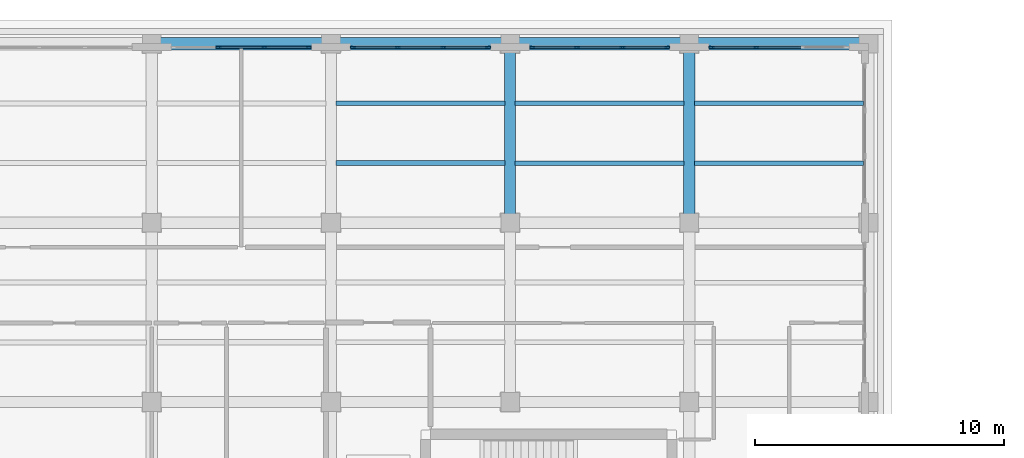
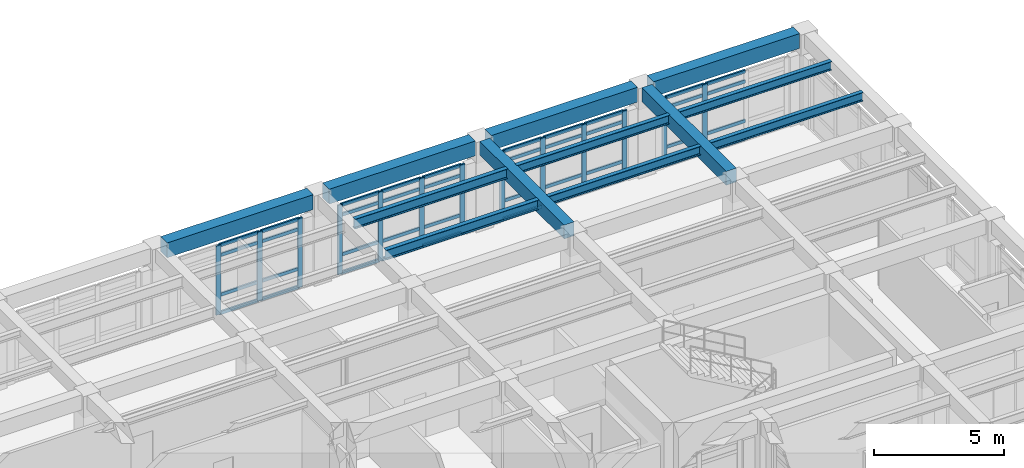
# One storey, part 31 of 67: 53 members, 12 beams, 4 elements without a shape of their own.
"""IFC4 building model written with IfcOpenShell, lengths in metres."""

from ifc_helpers import new_model, si_unit, direction, frame, origin, origin_2d, place, context, subcontext, project, spatial, rectangle, i_section, extrude, material, layer, layer_set, material_profile, profile_set, type_object, element, aggregate, save


model = new_model("IFC4")

# Units and contexts
model_context = context("Model", 3, precision=1e-05, world=origin(), true_north=direction((0.0, 1.0)))
body_context = subcontext(model_context, "Body", "Model", "MODEL_VIEW")
ifc_project = project(units=[si_unit("LENGTHUNIT", "METRE"), si_unit("AREAUNIT", "SQUARE_METRE"), si_unit("VOLUMEUNIT", "CUBIC_METRE"), si_unit("PLANEANGLEUNIT", "RADIAN"), si_unit("MASSUNIT", "GRAM", prefix="KILO")], contexts=[model_context])

# Site, building, storey
site_placement = place(None, origin())
site = spatial("IfcSite", under=ifc_project, at=site_placement, CompositionType="ELEMENT")
building_placement = place(site_placement, origin())
building = spatial("IfcBuilding", under=site, at=building_placement, Name="Solenvale Faculty of Natural Sciences", CompositionType="ELEMENT")
storey_placement = place(building_placement, frame((0.0, 0.0, 13.5)))
storey = spatial("IfcBuildingStorey", under=building, at=storey_placement, Name="L03", CompositionType="ELEMENT", Elevation=13.5)

# Beams
ifc_material_1 = material(Name="Concrete 40 MPa", Category="concrete")
ifc_material_profile_1 = material_profile(ifc_material_1, rectangle(XDim=0.449951171875, YDim=0.64990234375, at=origin_2d()), Name="RC-BM-450x650")
ifc_profile_set_1 = profile_set([ifc_material_profile_1], Name="Concrete 40 MPa")
beam_type_1 = type_object("IfcBeamType", Name="BM-RC-450x650", PredefinedType="BEAM", material=ifc_profile_set_1)
for number, where, z_axis, x_axis, name in (
    (1, (136.800048828125, 108.35498046875, 3.89501953125), (0.0, 1.0, 0.0), (-1.0, 0.0, 0.0), "L03 Y-Girder X136.8 (108.0..115.2)"),
    (2, (144.0, 108.35498046875, 3.89501953125), (0.0, 1.0, 0.0), (-1.0, 0.0, 0.0), "L03 Y-Girder X144.0 (108.0..115.2)"),
):
    element("IfcBeam", number, at=place(storey_placement, frame(where, z_axis=z_axis, x_axis=x_axis)), inside=storey, type_object=beam_type_1, Name=name, PredefinedType="BEAM", context=body_context, shape_type="SweptSolid", body=[
        extrude(rectangle(XDim=0.449951171875, YDim=0.64990234375, at=origin_2d()), origin(), (0.0, 0.0, 1.0), 6.489990234375),
    ])
ifc_material_2 = material(Name="Precast concrete 40 MPa", Category="concrete")
ifc_material_profile_2 = material_profile(ifc_material_2, rectangle(XDim=0.5, YDim=0.699951171875, at=origin_2d()), Name="RC-BM-500x700")
ifc_profile_set_2 = profile_set([ifc_material_profile_2], Name="Precast concrete 40 MPa")
beam_type_2 = type_object("IfcBeamType", Name="BM-SPN-PRC-700", PredefinedType="SPANDREL", material=ifc_profile_set_2)
beam_placement = place(storey_placement, frame((122.7548828125, 115.199951171875, 3.8701171875), z_axis=(1.0, 0.0, 0.0), x_axis=(0.0, 1.0, 0.0)))
element("IfcBeam", 3, at=beam_placement, inside=storey, type_object=beam_type_2, Name="L03 X-Girder Y115.2 (122.4..129.6)", PredefinedType="SPANDREL", context=body_context, shape_type="SweptSolid", body=[
    extrude(rectangle(XDim=0.5, YDim=0.699951171875, at=origin_2d()), origin(), (0.0, 0.0, 1.0), 6.490234375),
])
for number, where, z_axis, x_axis, name in (
    (4, (129.955078125, 115.199951171875, 3.8701171875), (1.0, 0.0, 0.0), (0.0, 1.0, 0.0), "L03 X-Girder Y115.2 (129.6..136.8)"),
    (5, (137.155029296875, 115.199951171875, 3.8701171875), (1.0, 0.0, 0.0), (0.0, 1.0, 0.0), "L03 X-Girder Y115.2 (136.8..144.0)"),
    (6, (144.35498046875, 115.199951171875, 3.8701171875), (1.0, 0.0, 0.0), (0.0, 1.0, 0.0), "L03 X-Girder Y115.2 (144.0..151.2)"),
):
    element("IfcBeam", number, at=place(storey_placement, frame(where, z_axis=z_axis, x_axis=x_axis)), inside=storey, type_object=beam_type_2, Name=name, PredefinedType="SPANDREL", context=body_context, shape_type="SweptSolid", body=[
        extrude(rectangle(XDim=0.5, YDim=0.699951171875, at=origin_2d()), origin(), (0.0, 0.0, 1.0), 6.489990234375),
    ])
ifc_material_3 = material(Name="Steel S355", Category="steel")
ifc_material_profile_3 = material_profile(ifc_material_3, i_section(OverallWidth=0.178955078125, OverallDepth=0.409912109375, WebThickness=0.0087890625, FlangeThickness=0.014404296875, FilletRadius=0.01611328125, at=origin_2d()), Name="W410x67")
ifc_profile_set_3 = profile_set([ifc_material_profile_3], Name="Steel S355")
beam_type_3 = type_object("IfcBeamType", Name="BM-STL-W410x67", PredefinedType="JOIST", material=ifc_profile_set_3)
for number, where, z_axis, x_axis, name in (
    (7, (144.205078125, 110.39990234375, 4.014892578125), (1.0, 0.0, 0.0), (0.0, 1.0, 0.0), "L03 Composite Floor Joist (21,16).1"),
    (8, (144.205078125, 112.800048828125, 4.014892578125), (1.0, 0.0, 0.0), (0.0, 1.0, 0.0), "L03 Composite Floor Joist (21,16).2"),
):
    element("IfcBeam", number, at=place(storey_placement, frame(where, z_axis=z_axis, x_axis=x_axis)), inside=storey, type_object=beam_type_3, Name=name, PredefinedType="JOIST", context=body_context, shape_type="SweptSolid", body=[
        extrude(i_section(OverallWidth=0.178955078125, OverallDepth=0.409912109375, WebThickness=0.0087890625, FlangeThickness=0.014404296875, FilletRadius=0.01611328125, at=origin_2d()), origin(), (0.0, 0.0, 1.0), 6.7900390625),
    ])
ifc_material_profile_4 = material_profile(ifc_material_3, i_section(OverallWidth=0.180908203125, OverallDepth=0.4169921875, WebThickness=0.010986328125, FlangeThickness=0.018310546875, FilletRadius=0.01611328125, at=origin_2d()), Name="W410x85")
ifc_profile_set_4 = profile_set([ifc_material_profile_4], Name="Steel S355")
beam_type_4 = type_object("IfcBeamType", Name="BM-STL-W410x85", PredefinedType="JOIST", material=ifc_profile_set_4)
for number, where, z_axis, x_axis, name in (
    (9, (137.0048828125, 110.39990234375, 4.011474609375), (1.0, 0.0, 0.0), (0.0, 1.0, 0.0), "L03 Composite Floor Joist (20,16).1"),
    (10, (137.0048828125, 112.800048828125, 4.011474609375), (1.0, 0.0, 0.0), (0.0, 1.0, 0.0), "L03 Composite Floor Joist (20,16).2"),
):
    element("IfcBeam", number, at=place(storey_placement, frame(where, z_axis=z_axis, x_axis=x_axis)), inside=storey, type_object=beam_type_4, Name=name, PredefinedType="JOIST", context=body_context, shape_type="SweptSolid", body=[
        extrude(i_section(OverallWidth=0.180908203125, OverallDepth=0.4169921875, WebThickness=0.010986328125, FlangeThickness=0.018310546875, FilletRadius=0.01611328125, at=origin_2d()), origin(), (0.0, 0.0, 1.0), 6.7900390625),
    ])
ifc_material_profile_5 = material_profile(ifc_material_3, i_section(OverallWidth=0.19091796875, OverallDepth=0.4599609375, WebThickness=0.010009765625, FlangeThickness=0.01611328125, FilletRadius=0.01806640625, at=origin_2d()), Name="W460x82")
ifc_profile_set_5 = profile_set([ifc_material_profile_5], Name="Steel S355")
beam_type_5 = type_object("IfcBeamType", Name="BM-STL-W460x82", PredefinedType="JOIST", material=ifc_profile_set_5)
for number, where, z_axis, x_axis, name in (
    (11, (129.804931640625, 110.39990234375, 3.989990234375), (1.0, 0.0, 0.0), (0.0, 1.0, 0.0), "L03 Composite Floor Joist (19,16).1"),
    (12, (129.804931640625, 112.800048828125, 3.989990234375), (1.0, 0.0, 0.0), (0.0, 1.0, 0.0), "L03 Composite Floor Joist (19,16).2"),
):
    element("IfcBeam", number, at=place(storey_placement, frame(where, z_axis=z_axis, x_axis=x_axis)), inside=storey, type_object=beam_type_5, Name=name, PredefinedType="JOIST", context=body_context, shape_type="SweptSolid", body=[
        extrude(i_section(OverallWidth=0.19091796875, OverallDepth=0.4599609375, WebThickness=0.010009765625, FlangeThickness=0.01611328125, FilletRadius=0.01806640625, at=origin_2d()), origin(), (0.0, 0.0, 1.0), 6.7900390625),
    ])

# Curtain wall, members
ifc_material_4 = material(Name="Anodised bronze aluminium", Category="aluminium")
ifc_layer = layer(ifc_material_4, 0.179931640625)
ifc_layer_set = layer_set([ifc_layer], Name="Anodised bronze aluminium")
curtain_wall_type = type_object("IfcCurtainWallType", Name="CW-TWR-MOD", PredefinedType="USERDEFINED", material=ifc_layer_set)
curtain_wall_1_placement = place(storey_placement, origin())
curtain_wall_1 = element("IfcCurtainWall", 13, at=curtain_wall_1_placement, inside=storey, type_object=curtain_wall_type, Name="L03 Curtain Wall CW-L03-P3-E4-B1", ObjectType="UNITISED CURTAIN WALL", PredefinedType="USERDEFINED")
ifc_material_profile_6 = material_profile(ifc_material_4, rectangle(XDim=0.074951171875, YDim=0.2099609375, at=origin_2d()), Name="ALU-MUL-75x210")
ifc_profile_set_6 = profile_set([ifc_material_profile_6], Name="Anodised bronze aluminium")
member_type_1 = type_object("IfcMemberType", Name="CWM-ALU-75x210", PredefinedType="MULLION", material=ifc_profile_set_6)
member_1_placement = place(storey_placement, frame((146.683349609375, 115.0576171875, 0.0), z_axis=(0.0, 0.0, 1.0), x_axis=(0.0, -1.0, 0.0)))
member_1 = element("IfcMember", 14, at=member_1_placement, type_object=member_type_1, Name="CW-04 mullion 3", PredefinedType="MULLION", context=body_context, shape_type="SweptSolid", body=[
    extrude(rectangle(XDim=0.074951171875, YDim=0.2099609375, at=origin_2d()), origin(), (0.0, 0.0, 1.0), 3.260009765625),
])
member_2_placement = place(storey_placement, frame((144.887451171875, 115.0576171875, 0.0), z_axis=(0.0, 0.0, 1.0), x_axis=(0.0, -1.0, 0.0)))
member_2 = element("IfcMember", 15, at=member_2_placement, type_object=member_type_1, Name="CW-04 mullion 4", PredefinedType="MULLION", context=body_context, shape_type="SweptSolid", body=[
    extrude(rectangle(XDim=0.074951171875, YDim=0.2099609375, at=origin_2d()), origin(), (0.0, 0.0, 1.0), 3.260009765625),
])

curtain_wall_2_placement = place(storey_placement, origin())
curtain_wall_2 = element("IfcCurtainWall", 16, at=curtain_wall_2_placement, inside=storey, type_object=curtain_wall_type, Name="L03 Curtain Wall CW-L03-P3-E4-B2", ObjectType="UNITISED CURTAIN WALL", PredefinedType="USERDEFINED")
member_3_placement = place(storey_placement, frame((143.112548828125, 115.0576171875, 0.0), z_axis=(0.0, 0.0, 1.0), x_axis=(0.0, -1.0, 0.0)))
member_3 = element("IfcMember", 17, at=member_3_placement, type_object=member_type_1, Name="CW-04 mullion 1", PredefinedType="MULLION", context=body_context, shape_type="SweptSolid", body=[
    extrude(rectangle(XDim=0.074951171875, YDim=0.2099609375, at=origin_2d()), origin(), (0.0, 0.0, 1.0), 3.260009765625),
])
member_4_placement = place(storey_placement, frame((141.316650390625, 115.0576171875, 0.0), z_axis=(0.0, 0.0, 1.0), x_axis=(0.0, -1.0, 0.0)))
member_4 = element("IfcMember", 18, at=member_4_placement, type_object=member_type_1, Name="CW-04 mullion 2", PredefinedType="MULLION", context=body_context, shape_type="SweptSolid", body=[
    extrude(rectangle(XDim=0.074951171875, YDim=0.2099609375, at=origin_2d()), origin(), (0.0, 0.0, 1.0), 3.260009765625),
])
member_5_placement = place(storey_placement, frame((139.4833984375, 115.0576171875, 0.0), z_axis=(0.0, 0.0, 1.0), x_axis=(0.0, -1.0, 0.0)))
member_5 = element("IfcMember", 19, at=member_5_placement, type_object=member_type_1, Name="CW-04 mullion 3", PredefinedType="MULLION", context=body_context, shape_type="SweptSolid", body=[
    extrude(rectangle(XDim=0.074951171875, YDim=0.2099609375, at=origin_2d()), origin(), (0.0, 0.0, 1.0), 3.260009765625),
])
member_6_placement = place(storey_placement, frame((137.6875, 115.0576171875, 0.0), z_axis=(0.0, 0.0, 1.0), x_axis=(0.0, -1.0, 0.0)))
member_6 = element("IfcMember", 20, at=member_6_placement, type_object=member_type_1, Name="CW-04 mullion 4", PredefinedType="MULLION", context=body_context, shape_type="SweptSolid", body=[
    extrude(rectangle(XDim=0.074951171875, YDim=0.2099609375, at=origin_2d()), origin(), (0.0, 0.0, 1.0), 3.260009765625),
])

curtain_wall_3_placement = place(storey_placement, origin())
curtain_wall_3 = element("IfcCurtainWall", 21, at=curtain_wall_3_placement, inside=storey, type_object=curtain_wall_type, Name="L03 Curtain Wall CW-L03-P3-E4-B3", ObjectType="UNITISED CURTAIN WALL", PredefinedType="USERDEFINED")
member_7_placement = place(storey_placement, frame((135.91259765625, 115.0576171875, 0.0), z_axis=(0.0, 0.0, 1.0), x_axis=(0.0, -1.0, 0.0)))
member_7 = element("IfcMember", 22, at=member_7_placement, type_object=member_type_1, Name="CW-04 mullion 1", PredefinedType="MULLION", context=body_context, shape_type="SweptSolid", body=[
    extrude(rectangle(XDim=0.074951171875, YDim=0.2099609375, at=origin_2d()), origin(), (0.0, 0.0, 1.0), 3.260009765625),
])
member_8_placement = place(storey_placement, frame((134.11669921875, 115.0576171875, 0.0), z_axis=(0.0, 0.0, 1.0), x_axis=(0.0, -1.0, 0.0)))
member_8 = element("IfcMember", 23, at=member_8_placement, type_object=member_type_1, Name="CW-04 mullion 2", PredefinedType="MULLION", context=body_context, shape_type="SweptSolid", body=[
    extrude(rectangle(XDim=0.074951171875, YDim=0.2099609375, at=origin_2d()), origin(), (0.0, 0.0, 1.0), 3.260009765625),
])
member_9_placement = place(storey_placement, frame((132.283447265625, 115.0576171875, 0.0), z_axis=(0.0, 0.0, 1.0), x_axis=(0.0, -1.0, 0.0)))
member_9 = element("IfcMember", 24, at=member_9_placement, type_object=member_type_1, Name="CW-04 mullion 3", PredefinedType="MULLION", context=body_context, shape_type="SweptSolid", body=[
    extrude(rectangle(XDim=0.074951171875, YDim=0.2099609375, at=origin_2d()), origin(), (0.0, 0.0, 1.0), 3.260009765625),
])
member_10_placement = place(storey_placement, frame((130.487548828125, 115.0576171875, 0.0), z_axis=(0.0, 0.0, 1.0), x_axis=(0.0, -1.0, 0.0)))
member_10 = element("IfcMember", 25, at=member_10_placement, type_object=member_type_1, Name="CW-04 mullion 4", PredefinedType="MULLION", context=body_context, shape_type="SweptSolid", body=[
    extrude(rectangle(XDim=0.074951171875, YDim=0.2099609375, at=origin_2d()), origin(), (0.0, 0.0, 1.0), 3.260009765625),
])

curtain_wall_4_placement = place(storey_placement, origin())
curtain_wall_4 = element("IfcCurtainWall", 26, at=curtain_wall_4_placement, inside=storey, type_object=curtain_wall_type, Name="L03 Curtain Wall CW-L03-P3-E4-B4", ObjectType="UNITISED CURTAIN WALL", PredefinedType="USERDEFINED")
member_11_placement = place(storey_placement, frame((128.71240234375, 115.0576171875, 0.0), z_axis=(0.0, 0.0, 1.0), x_axis=(0.0, -1.0, 0.0)))
member_11 = element("IfcMember", 27, at=member_11_placement, type_object=member_type_1, Name="CW-04 mullion 1", PredefinedType="MULLION", context=body_context, shape_type="SweptSolid", body=[
    extrude(rectangle(XDim=0.074951171875, YDim=0.2099609375, at=origin_2d()), origin(), (0.0, 0.0, 1.0), 3.260009765625),
])
member_12_placement = place(storey_placement, frame((126.916748046875, 115.0576171875, 0.0), z_axis=(0.0, 0.0, 1.0), x_axis=(0.0, -1.0, 0.0)))
member_12 = element("IfcMember", 28, at=member_12_placement, type_object=member_type_1, Name="CW-04 mullion 2", PredefinedType="MULLION", context=body_context, shape_type="SweptSolid", body=[
    extrude(rectangle(XDim=0.074951171875, YDim=0.2099609375, at=origin_2d()), origin(), (0.0, 0.0, 1.0), 3.260009765625),
])
member_13_placement = place(storey_placement, frame((125.083251953125, 115.0576171875, 0.0), z_axis=(0.0, 0.0, 1.0), x_axis=(0.0, -1.0, 0.0)))
member_13 = element("IfcMember", 29, at=member_13_placement, type_object=member_type_1, Name="CW-04 mullion 3", PredefinedType="MULLION", context=body_context, shape_type="SweptSolid", body=[
    extrude(rectangle(XDim=0.074951171875, YDim=0.2099609375, at=origin_2d()), origin(), (0.0, 0.0, 1.0), 3.260009765625),
])

# Member
ifc_material_profile_7 = material_profile(ifc_material_4, rectangle(XDim=0.074951171875, YDim=0.155029296875, at=origin_2d()), Name="ALU-TRN-75x155")
ifc_profile_set_7 = profile_set([ifc_material_profile_7], Name="Anodised bronze aluminium")
member_type_2 = type_object("IfcMemberType", Name="CWT-ALU-75x155", PredefinedType="USERDEFINED", material=ifc_profile_set_7)
member_14_placement = place(storey_placement, frame((148.479248046875, 115.0576171875, 0.03759765625), z_axis=(-1.0, 0.0, 0.0), x_axis=(0.0, -1.0, 0.0)))
member_14 = element("IfcMember", 30, at=member_14_placement, type_object=member_type_2, Name="CW-04 transom 2.1", ObjectType="TRANSOM", PredefinedType="USERDEFINED", context=body_context, shape_type="SweptSolid", body=[
    extrude(rectangle(XDim=0.074951171875, YDim=0.155029296875, at=origin_2d()), origin(), (0.0, 0.0, 1.0), 1.75830078125),
])

member_15_placement = place(storey_placement, frame((148.479248046875, 115.0576171875, 0.89990234375), z_axis=(-1.0, 0.0, 0.0), x_axis=(0.0, -1.0, 0.0)))
member_15 = element("IfcMember", 31, at=member_15_placement, type_object=member_type_2, Name="CW-04 transom 2.2", ObjectType="TRANSOM", PredefinedType="USERDEFINED", context=body_context, shape_type="SweptSolid", body=[
    extrude(rectangle(XDim=0.074951171875, YDim=0.155029296875, at=origin_2d()), origin(), (0.0, 0.0, 1.0), 1.75830078125),
])

member_16_placement = place(storey_placement, frame((148.479248046875, 115.0576171875, 2.760009765625), z_axis=(-1.0, 0.0, 0.0), x_axis=(0.0, -1.0, 0.0)))
member_16 = element("IfcMember", 32, at=member_16_placement, type_object=member_type_2, Name="CW-04 transom 2.3", ObjectType="TRANSOM", PredefinedType="USERDEFINED", context=body_context, shape_type="SweptSolid", body=[
    extrude(rectangle(XDim=0.074951171875, YDim=0.155029296875, at=origin_2d()), origin(), (0.0, 0.0, 1.0), 1.75830078125),
])

member_17_placement = place(storey_placement, frame((148.479248046875, 115.0576171875, 3.222412109375), z_axis=(-1.0, 0.0, 0.0), x_axis=(0.0, -1.0, 0.0)))
member_17 = element("IfcMember", 33, at=member_17_placement, type_object=member_type_2, Name="CW-04 transom 2.4", ObjectType="TRANSOM", PredefinedType="USERDEFINED", context=body_context, shape_type="SweptSolid", body=[
    extrude(rectangle(XDim=0.074951171875, YDim=0.155029296875, at=origin_2d()), origin(), (0.0, 0.0, 1.0), 1.75830078125),
])

member_18_placement = place(storey_placement, frame((146.645751953125, 115.0576171875, 0.03759765625), z_axis=(-1.0, 0.0, 0.0), x_axis=(0.0, -1.0, 0.0)))
member_18 = element("IfcMember", 34, at=member_18_placement, type_object=member_type_2, Name="CW-04 transom 3.1", ObjectType="TRANSOM", PredefinedType="USERDEFINED", context=body_context, shape_type="SweptSolid", body=[
    extrude(rectangle(XDim=0.074951171875, YDim=0.155029296875, at=origin_2d()), origin(), (0.0, 0.0, 1.0), 1.720703125),
])

member_19_placement = place(storey_placement, frame((146.645751953125, 115.0576171875, 0.89990234375), z_axis=(-1.0, 0.0, 0.0), x_axis=(0.0, -1.0, 0.0)))
member_19 = element("IfcMember", 35, at=member_19_placement, type_object=member_type_2, Name="CW-04 transom 3.2", ObjectType="TRANSOM", PredefinedType="USERDEFINED", context=body_context, shape_type="SweptSolid", body=[
    extrude(rectangle(XDim=0.074951171875, YDim=0.155029296875, at=origin_2d()), origin(), (0.0, 0.0, 1.0), 1.720703125),
])

member_20_placement = place(storey_placement, frame((146.645751953125, 115.0576171875, 2.760009765625), z_axis=(-1.0, 0.0, 0.0), x_axis=(0.0, -1.0, 0.0)))
member_20 = element("IfcMember", 36, at=member_20_placement, type_object=member_type_2, Name="CW-04 transom 3.3", ObjectType="TRANSOM", PredefinedType="USERDEFINED", context=body_context, shape_type="SweptSolid", body=[
    extrude(rectangle(XDim=0.074951171875, YDim=0.155029296875, at=origin_2d()), origin(), (0.0, 0.0, 1.0), 1.720703125),
])

member_21_placement = place(storey_placement, frame((146.645751953125, 115.0576171875, 3.222412109375), z_axis=(-1.0, 0.0, 0.0), x_axis=(0.0, -1.0, 0.0)))
member_21 = element("IfcMember", 37, at=member_21_placement, type_object=member_type_2, Name="CW-04 transom 3.4", ObjectType="TRANSOM", PredefinedType="USERDEFINED", context=body_context, shape_type="SweptSolid", body=[
    extrude(rectangle(XDim=0.074951171875, YDim=0.155029296875, at=origin_2d()), origin(), (0.0, 0.0, 1.0), 1.720703125),
])

aggregate(curtain_wall_1, [member_1, member_2, member_14, member_15, member_16, member_17, member_18, member_19, member_20, member_21])

member_22_placement = place(storey_placement, frame((143.074951171875, 115.0576171875, 0.03759765625), z_axis=(-1.0, 0.0, 0.0), x_axis=(0.0, -1.0, 0.0)))
member_22 = element("IfcMember", 38, at=member_22_placement, type_object=member_type_2, Name="CW-04 transom 1.1", ObjectType="TRANSOM", PredefinedType="USERDEFINED", context=body_context, shape_type="SweptSolid", body=[
    extrude(rectangle(XDim=0.074951171875, YDim=0.155029296875, at=origin_2d()), origin(), (0.0, 0.0, 1.0), 1.720703125),
])

member_23_placement = place(storey_placement, frame((143.074951171875, 115.0576171875, 0.89990234375), z_axis=(-1.0, 0.0, 0.0), x_axis=(0.0, -1.0, 0.0)))
member_23 = element("IfcMember", 39, at=member_23_placement, type_object=member_type_2, Name="CW-04 transom 1.2", ObjectType="TRANSOM", PredefinedType="USERDEFINED", context=body_context, shape_type="SweptSolid", body=[
    extrude(rectangle(XDim=0.074951171875, YDim=0.155029296875, at=origin_2d()), origin(), (0.0, 0.0, 1.0), 1.720703125),
])

member_24_placement = place(storey_placement, frame((143.074951171875, 115.0576171875, 2.760009765625), z_axis=(-1.0, 0.0, 0.0), x_axis=(0.0, -1.0, 0.0)))
member_24 = element("IfcMember", 40, at=member_24_placement, type_object=member_type_2, Name="CW-04 transom 1.3", ObjectType="TRANSOM", PredefinedType="USERDEFINED", context=body_context, shape_type="SweptSolid", body=[
    extrude(rectangle(XDim=0.074951171875, YDim=0.155029296875, at=origin_2d()), origin(), (0.0, 0.0, 1.0), 1.720703125),
])

member_25_placement = place(storey_placement, frame((143.074951171875, 115.0576171875, 3.222412109375), z_axis=(-1.0, 0.0, 0.0), x_axis=(0.0, -1.0, 0.0)))
member_25 = element("IfcMember", 41, at=member_25_placement, type_object=member_type_2, Name="CW-04 transom 1.4", ObjectType="TRANSOM", PredefinedType="USERDEFINED", context=body_context, shape_type="SweptSolid", body=[
    extrude(rectangle(XDim=0.074951171875, YDim=0.155029296875, at=origin_2d()), origin(), (0.0, 0.0, 1.0), 1.720703125),
])

member_26_placement = place(storey_placement, frame((141.279052734375, 115.0576171875, 0.03759765625), z_axis=(-1.0, 0.0, 0.0), x_axis=(0.0, -1.0, 0.0)))
member_26 = element("IfcMember", 42, at=member_26_placement, type_object=member_type_2, Name="CW-04 transom 2.1", ObjectType="TRANSOM", PredefinedType="USERDEFINED", context=body_context, shape_type="SweptSolid", body=[
    extrude(rectangle(XDim=0.074951171875, YDim=0.155029296875, at=origin_2d()), origin(), (0.0, 0.0, 1.0), 1.75830078125),
])

member_27_placement = place(storey_placement, frame((141.279052734375, 115.0576171875, 0.89990234375), z_axis=(-1.0, 0.0, 0.0), x_axis=(0.0, -1.0, 0.0)))
member_27 = element("IfcMember", 43, at=member_27_placement, type_object=member_type_2, Name="CW-04 transom 2.2", ObjectType="TRANSOM", PredefinedType="USERDEFINED", context=body_context, shape_type="SweptSolid", body=[
    extrude(rectangle(XDim=0.074951171875, YDim=0.155029296875, at=origin_2d()), origin(), (0.0, 0.0, 1.0), 1.75830078125),
])

member_28_placement = place(storey_placement, frame((141.279052734375, 115.0576171875, 2.760009765625), z_axis=(-1.0, 0.0, 0.0), x_axis=(0.0, -1.0, 0.0)))
member_28 = element("IfcMember", 44, at=member_28_placement, type_object=member_type_2, Name="CW-04 transom 2.3", ObjectType="TRANSOM", PredefinedType="USERDEFINED", context=body_context, shape_type="SweptSolid", body=[
    extrude(rectangle(XDim=0.074951171875, YDim=0.155029296875, at=origin_2d()), origin(), (0.0, 0.0, 1.0), 1.75830078125),
])

member_29_placement = place(storey_placement, frame((141.279052734375, 115.0576171875, 3.222412109375), z_axis=(-1.0, 0.0, 0.0), x_axis=(0.0, -1.0, 0.0)))
member_29 = element("IfcMember", 45, at=member_29_placement, type_object=member_type_2, Name="CW-04 transom 2.4", ObjectType="TRANSOM", PredefinedType="USERDEFINED", context=body_context, shape_type="SweptSolid", body=[
    extrude(rectangle(XDim=0.074951171875, YDim=0.155029296875, at=origin_2d()), origin(), (0.0, 0.0, 1.0), 1.75830078125),
])

member_30_placement = place(storey_placement, frame((139.44580078125, 115.0576171875, 0.03759765625), z_axis=(-1.0, 0.0, 0.0), x_axis=(0.0, -1.0, 0.0)))
member_30 = element("IfcMember", 46, at=member_30_placement, type_object=member_type_2, Name="CW-04 transom 3.1", ObjectType="TRANSOM", PredefinedType="USERDEFINED", context=body_context, shape_type="SweptSolid", body=[
    extrude(rectangle(XDim=0.074951171875, YDim=0.155029296875, at=origin_2d()), origin(), (0.0, 0.0, 1.0), 1.720703125),
])

member_31_placement = place(storey_placement, frame((139.44580078125, 115.0576171875, 0.89990234375), z_axis=(-1.0, 0.0, 0.0), x_axis=(0.0, -1.0, 0.0)))
member_31 = element("IfcMember", 47, at=member_31_placement, type_object=member_type_2, Name="CW-04 transom 3.2", ObjectType="TRANSOM", PredefinedType="USERDEFINED", context=body_context, shape_type="SweptSolid", body=[
    extrude(rectangle(XDim=0.074951171875, YDim=0.155029296875, at=origin_2d()), origin(), (0.0, 0.0, 1.0), 1.720703125),
])

member_32_placement = place(storey_placement, frame((139.44580078125, 115.0576171875, 2.760009765625), z_axis=(-1.0, 0.0, 0.0), x_axis=(0.0, -1.0, 0.0)))
member_32 = element("IfcMember", 48, at=member_32_placement, type_object=member_type_2, Name="CW-04 transom 3.3", ObjectType="TRANSOM", PredefinedType="USERDEFINED", context=body_context, shape_type="SweptSolid", body=[
    extrude(rectangle(XDim=0.074951171875, YDim=0.155029296875, at=origin_2d()), origin(), (0.0, 0.0, 1.0), 1.720703125),
])

member_33_placement = place(storey_placement, frame((139.44580078125, 115.0576171875, 3.222412109375), z_axis=(-1.0, 0.0, 0.0), x_axis=(0.0, -1.0, 0.0)))
member_33 = element("IfcMember", 49, at=member_33_placement, type_object=member_type_2, Name="CW-04 transom 3.4", ObjectType="TRANSOM", PredefinedType="USERDEFINED", context=body_context, shape_type="SweptSolid", body=[
    extrude(rectangle(XDim=0.074951171875, YDim=0.155029296875, at=origin_2d()), origin(), (0.0, 0.0, 1.0), 1.720703125),
])

aggregate(curtain_wall_2, [member_3, member_4, member_5, member_6, member_22, member_23, member_24, member_25, member_26, member_27, member_28, member_29, member_30, member_31, member_32, member_33])

member_34_placement = place(storey_placement, frame((135.875, 115.0576171875, 0.03759765625), z_axis=(-1.0, 0.0, 0.0), x_axis=(0.0, -1.0, 0.0)))
member_34 = element("IfcMember", 50, at=member_34_placement, type_object=member_type_2, Name="CW-04 transom 1.1", ObjectType="TRANSOM", PredefinedType="USERDEFINED", context=body_context, shape_type="SweptSolid", body=[
    extrude(rectangle(XDim=0.074951171875, YDim=0.155029296875, at=origin_2d()), origin(), (0.0, 0.0, 1.0), 1.720947265625),
])

member_35_placement = place(storey_placement, frame((135.875, 115.0576171875, 0.89990234375), z_axis=(-1.0, 0.0, 0.0), x_axis=(0.0, -1.0, 0.0)))
member_35 = element("IfcMember", 51, at=member_35_placement, type_object=member_type_2, Name="CW-04 transom 1.2", ObjectType="TRANSOM", PredefinedType="USERDEFINED", context=body_context, shape_type="SweptSolid", body=[
    extrude(rectangle(XDim=0.074951171875, YDim=0.155029296875, at=origin_2d()), origin(), (0.0, 0.0, 1.0), 1.720947265625),
])

member_36_placement = place(storey_placement, frame((135.875, 115.0576171875, 2.760009765625), z_axis=(-1.0, 0.0, 0.0), x_axis=(0.0, -1.0, 0.0)))
member_36 = element("IfcMember", 52, at=member_36_placement, type_object=member_type_2, Name="CW-04 transom 1.3", ObjectType="TRANSOM", PredefinedType="USERDEFINED", context=body_context, shape_type="SweptSolid", body=[
    extrude(rectangle(XDim=0.074951171875, YDim=0.155029296875, at=origin_2d()), origin(), (0.0, 0.0, 1.0), 1.720947265625),
])

member_37_placement = place(storey_placement, frame((135.875, 115.0576171875, 3.222412109375), z_axis=(-1.0, 0.0, 0.0), x_axis=(0.0, -1.0, 0.0)))
member_37 = element("IfcMember", 53, at=member_37_placement, type_object=member_type_2, Name="CW-04 transom 1.4", ObjectType="TRANSOM", PredefinedType="USERDEFINED", context=body_context, shape_type="SweptSolid", body=[
    extrude(rectangle(XDim=0.074951171875, YDim=0.155029296875, at=origin_2d()), origin(), (0.0, 0.0, 1.0), 1.720947265625),
])

member_38_placement = place(storey_placement, frame((134.0791015625, 115.0576171875, 0.03759765625), z_axis=(-1.0, 0.0, 0.0), x_axis=(0.0, -1.0, 0.0)))
member_38 = element("IfcMember", 54, at=member_38_placement, type_object=member_type_2, Name="CW-04 transom 2.1", ObjectType="TRANSOM", PredefinedType="USERDEFINED", context=body_context, shape_type="SweptSolid", body=[
    extrude(rectangle(XDim=0.074951171875, YDim=0.155029296875, at=origin_2d()), origin(), (0.0, 0.0, 1.0), 1.75830078125),
])

member_39_placement = place(storey_placement, frame((134.0791015625, 115.0576171875, 0.89990234375), z_axis=(-1.0, 0.0, 0.0), x_axis=(0.0, -1.0, 0.0)))
member_39 = element("IfcMember", 55, at=member_39_placement, type_object=member_type_2, Name="CW-04 transom 2.2", ObjectType="TRANSOM", PredefinedType="USERDEFINED", context=body_context, shape_type="SweptSolid", body=[
    extrude(rectangle(XDim=0.074951171875, YDim=0.155029296875, at=origin_2d()), origin(), (0.0, 0.0, 1.0), 1.75830078125),
])

member_40_placement = place(storey_placement, frame((134.0791015625, 115.0576171875, 2.760009765625), z_axis=(-1.0, 0.0, 0.0), x_axis=(0.0, -1.0, 0.0)))
member_40 = element("IfcMember", 56, at=member_40_placement, type_object=member_type_2, Name="CW-04 transom 2.3", ObjectType="TRANSOM", PredefinedType="USERDEFINED", context=body_context, shape_type="SweptSolid", body=[
    extrude(rectangle(XDim=0.074951171875, YDim=0.155029296875, at=origin_2d()), origin(), (0.0, 0.0, 1.0), 1.75830078125),
])

member_41_placement = place(storey_placement, frame((134.0791015625, 115.0576171875, 3.222412109375), z_axis=(-1.0, 0.0, 0.0), x_axis=(0.0, -1.0, 0.0)))
member_41 = element("IfcMember", 57, at=member_41_placement, type_object=member_type_2, Name="CW-04 transom 2.4", ObjectType="TRANSOM", PredefinedType="USERDEFINED", context=body_context, shape_type="SweptSolid", body=[
    extrude(rectangle(XDim=0.074951171875, YDim=0.155029296875, at=origin_2d()), origin(), (0.0, 0.0, 1.0), 1.75830078125),
])

member_42_placement = place(storey_placement, frame((132.245849609375, 115.0576171875, 0.03759765625), z_axis=(-1.0, 0.0, 0.0), x_axis=(0.0, -1.0, 0.0)))
member_42 = element("IfcMember", 58, at=member_42_placement, type_object=member_type_2, Name="CW-04 transom 3.1", ObjectType="TRANSOM", PredefinedType="USERDEFINED", context=body_context, shape_type="SweptSolid", body=[
    extrude(rectangle(XDim=0.074951171875, YDim=0.155029296875, at=origin_2d()), origin(), (0.0, 0.0, 1.0), 1.720947265625),
])

member_43_placement = place(storey_placement, frame((132.245849609375, 115.0576171875, 0.89990234375), z_axis=(-1.0, 0.0, 0.0), x_axis=(0.0, -1.0, 0.0)))
member_43 = element("IfcMember", 59, at=member_43_placement, type_object=member_type_2, Name="CW-04 transom 3.2", ObjectType="TRANSOM", PredefinedType="USERDEFINED", context=body_context, shape_type="SweptSolid", body=[
    extrude(rectangle(XDim=0.074951171875, YDim=0.155029296875, at=origin_2d()), origin(), (0.0, 0.0, 1.0), 1.720947265625),
])

member_44_placement = place(storey_placement, frame((132.245849609375, 115.0576171875, 2.760009765625), z_axis=(-1.0, 0.0, 0.0), x_axis=(0.0, -1.0, 0.0)))
member_44 = element("IfcMember", 60, at=member_44_placement, type_object=member_type_2, Name="CW-04 transom 3.3", ObjectType="TRANSOM", PredefinedType="USERDEFINED", context=body_context, shape_type="SweptSolid", body=[
    extrude(rectangle(XDim=0.074951171875, YDim=0.155029296875, at=origin_2d()), origin(), (0.0, 0.0, 1.0), 1.720947265625),
])

member_45_placement = place(storey_placement, frame((132.245849609375, 115.0576171875, 3.222412109375), z_axis=(-1.0, 0.0, 0.0), x_axis=(0.0, -1.0, 0.0)))
member_45 = element("IfcMember", 61, at=member_45_placement, type_object=member_type_2, Name="CW-04 transom 3.4", ObjectType="TRANSOM", PredefinedType="USERDEFINED", context=body_context, shape_type="SweptSolid", body=[
    extrude(rectangle(XDim=0.074951171875, YDim=0.155029296875, at=origin_2d()), origin(), (0.0, 0.0, 1.0), 1.720947265625),
])

aggregate(curtain_wall_3, [member_7, member_8, member_9, member_10, member_34, member_35, member_36, member_37, member_38, member_39, member_40, member_41, member_42, member_43, member_44, member_45])

member_46_placement = place(storey_placement, frame((128.675048828125, 115.0576171875, 0.03759765625), z_axis=(-1.0, 0.0, 0.0), x_axis=(0.0, -1.0, 0.0)))
member_46 = element("IfcMember", 62, at=member_46_placement, type_object=member_type_2, Name="CW-04 transom 1.1", ObjectType="TRANSOM", PredefinedType="USERDEFINED", context=body_context, shape_type="SweptSolid", body=[
    extrude(rectangle(XDim=0.074951171875, YDim=0.155029296875, at=origin_2d()), origin(), (0.0, 0.0, 1.0), 1.720947265625),
])

member_47_placement = place(storey_placement, frame((128.675048828125, 115.0576171875, 0.89990234375), z_axis=(-1.0, 0.0, 0.0), x_axis=(0.0, -1.0, 0.0)))
member_47 = element("IfcMember", 63, at=member_47_placement, type_object=member_type_2, Name="CW-04 transom 1.2", ObjectType="TRANSOM", PredefinedType="USERDEFINED", context=body_context, shape_type="SweptSolid", body=[
    extrude(rectangle(XDim=0.074951171875, YDim=0.155029296875, at=origin_2d()), origin(), (0.0, 0.0, 1.0), 1.720947265625),
])

member_48_placement = place(storey_placement, frame((128.675048828125, 115.0576171875, 2.760009765625), z_axis=(-1.0, 0.0, 0.0), x_axis=(0.0, -1.0, 0.0)))
member_48 = element("IfcMember", 64, at=member_48_placement, type_object=member_type_2, Name="CW-04 transom 1.3", ObjectType="TRANSOM", PredefinedType="USERDEFINED", context=body_context, shape_type="SweptSolid", body=[
    extrude(rectangle(XDim=0.074951171875, YDim=0.155029296875, at=origin_2d()), origin(), (0.0, 0.0, 1.0), 1.720947265625),
])

member_49_placement = place(storey_placement, frame((128.675048828125, 115.0576171875, 3.222412109375), z_axis=(-1.0, 0.0, 0.0), x_axis=(0.0, -1.0, 0.0)))
member_49 = element("IfcMember", 65, at=member_49_placement, type_object=member_type_2, Name="CW-04 transom 1.4", ObjectType="TRANSOM", PredefinedType="USERDEFINED", context=body_context, shape_type="SweptSolid", body=[
    extrude(rectangle(XDim=0.074951171875, YDim=0.155029296875, at=origin_2d()), origin(), (0.0, 0.0, 1.0), 1.720947265625),
])

member_50_placement = place(storey_placement, frame((126.879150390625, 115.0576171875, 0.03759765625), z_axis=(-1.0, 0.0, 0.0), x_axis=(0.0, -1.0, 0.0)))
member_50 = element("IfcMember", 66, at=member_50_placement, type_object=member_type_2, Name="CW-04 transom 2.1", ObjectType="TRANSOM", PredefinedType="USERDEFINED", context=body_context, shape_type="SweptSolid", body=[
    extrude(rectangle(XDim=0.074951171875, YDim=0.155029296875, at=origin_2d()), origin(), (0.0, 0.0, 1.0), 1.75830078125),
])

member_51_placement = place(storey_placement, frame((126.879150390625, 115.0576171875, 0.89990234375), z_axis=(-1.0, 0.0, 0.0), x_axis=(0.0, -1.0, 0.0)))
member_51 = element("IfcMember", 67, at=member_51_placement, type_object=member_type_2, Name="CW-04 transom 2.2", ObjectType="TRANSOM", PredefinedType="USERDEFINED", context=body_context, shape_type="SweptSolid", body=[
    extrude(rectangle(XDim=0.074951171875, YDim=0.155029296875, at=origin_2d()), origin(), (0.0, 0.0, 1.0), 1.75830078125),
])

member_52_placement = place(storey_placement, frame((126.879150390625, 115.0576171875, 2.760009765625), z_axis=(-1.0, 0.0, 0.0), x_axis=(0.0, -1.0, 0.0)))
member_52 = element("IfcMember", 68, at=member_52_placement, type_object=member_type_2, Name="CW-04 transom 2.3", ObjectType="TRANSOM", PredefinedType="USERDEFINED", context=body_context, shape_type="SweptSolid", body=[
    extrude(rectangle(XDim=0.074951171875, YDim=0.155029296875, at=origin_2d()), origin(), (0.0, 0.0, 1.0), 1.75830078125),
])

member_53_placement = place(storey_placement, frame((126.879150390625, 115.0576171875, 3.222412109375), z_axis=(-1.0, 0.0, 0.0), x_axis=(0.0, -1.0, 0.0)))
member_53 = element("IfcMember", 69, at=member_53_placement, type_object=member_type_2, Name="CW-04 transom 2.4", ObjectType="TRANSOM", PredefinedType="USERDEFINED", context=body_context, shape_type="SweptSolid", body=[
    extrude(rectangle(XDim=0.074951171875, YDim=0.155029296875, at=origin_2d()), origin(), (0.0, 0.0, 1.0), 1.75830078125),
])

aggregate(curtain_wall_4, [member_11, member_12, member_13, member_46, member_47, member_48, member_49, member_50, member_51, member_52, member_53])

save(model, "model.ifc")
